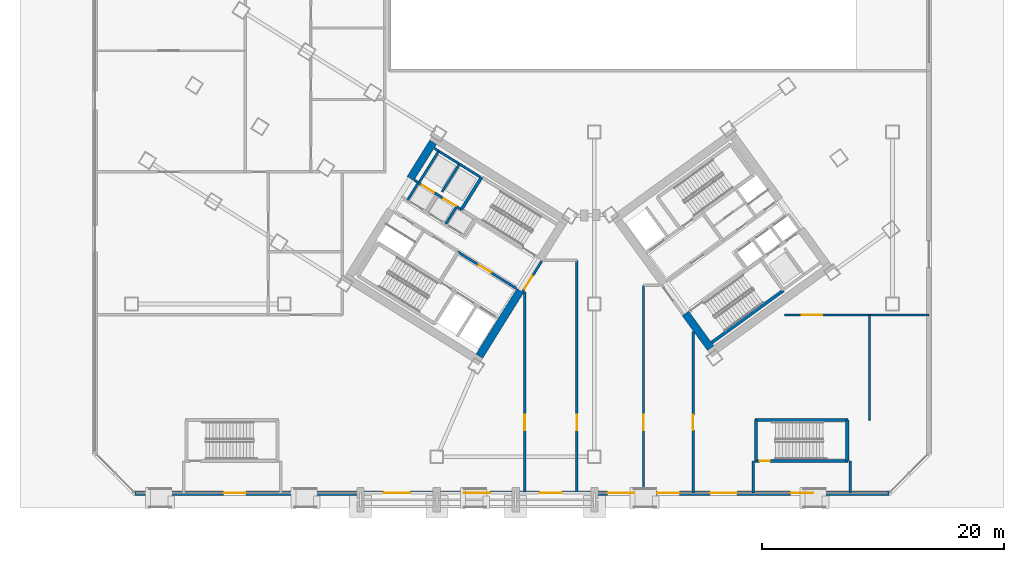
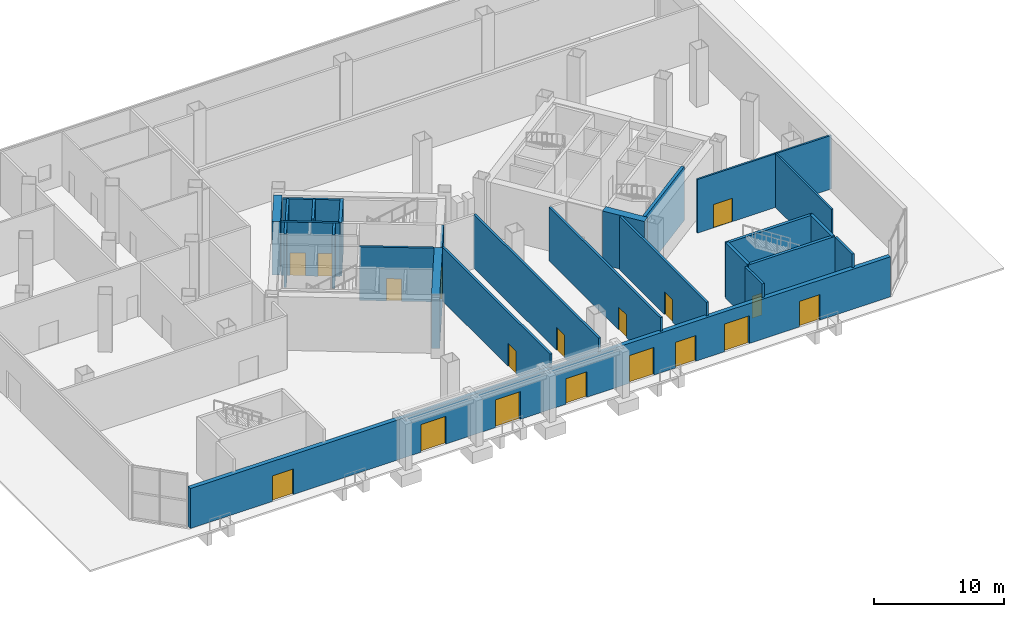
# One storey, part 11 of 22: 26 walls, 18 doors, 18 openings.
"""IFC4 building model written with IfcOpenShell, lengths in metres."""

from ifc_helpers import new_model, si_unit, direction, frame, frame_2d, origin, place, context, subcontext, project, spatial, rectangle, extrude, source, transform, mapped, material, layer, layer_set, type_object, element, fill, save


model = new_model("IFC4")

# Units and contexts
model_context = context("Model", 3, precision=1e-05, world=origin(), true_north=direction((0.0, 1.0)))
body_context = subcontext(model_context, "Body", "Model", "MODEL_VIEW")
ifc_project = project(units=[si_unit("LENGTHUNIT", "METRE"), si_unit("AREAUNIT", "SQUARE_METRE"), si_unit("VOLUMEUNIT", "CUBIC_METRE"), si_unit("PLANEANGLEUNIT", "RADIAN"), si_unit("MASSUNIT", "GRAM", prefix="KILO")], contexts=[model_context])

# Site, building, storey
site_placement = place(None, origin())
site = spatial("IfcSite", under=ifc_project, at=site_placement, CompositionType="ELEMENT")
building_placement = place(site_placement, origin())
building = spatial("IfcBuilding", under=site, at=building_placement, Name="Tlacorven Tower", CompositionType="ELEMENT")
storey_placement = place(building_placement, origin())
storey = spatial("IfcBuildingStorey", under=building, at=storey_placement, Name="L00", CompositionType="ELEMENT", Elevation=0.0)

# Walls
ifc_material_1 = material(Name="Concrete C60/75", Category="concrete")
ifc_layer_1 = layer(ifc_material_1, 0.64990234375)
ifc_layer_set_1 = layer_set([ifc_layer_1], Name="Concrete C60/75")
wall_type_1 = type_object("IfcWallType", Name="WL-COR-650", PredefinedType="SHEAR", material=ifc_layer_set_1)
wall_1_placement = place(storey_placement, frame((36.683349609375, 18.30419921875, 0.0), z_axis=(0.0, 0.0, 1.0), x_axis=(-0.529899109053, -0.848060690178, 0.0)))
element("IfcWall", 1, at=wall_1_placement, inside=storey, type_object=wall_type_1, Name="L00 W core end wall E1.2", PredefinedType="SHEAR", context=body_context, shape_type="SweptSolid", body=[
    extrude(rectangle(XDim=6.375244140625, YDim=0.64990234375, at=frame_2d((3.1875, 0.0))), origin(), (0.0, 0.0, 1.0), 5.050048828125),
])
for number, where, z_axis, x_axis, name in (
    (2, (29.49072265625, 30.5517578125, 0.0), (0.0, 0.0, 1.0), (-0.529893103397, -0.8480644427, 0.0), "L00 W core end wall E2.1"),
    (3, (52.390380859375, 13.564208984375, 0.0), (0.0, 0.0, 1.0), (-0.58779688989, 0.809008539037, 0.0), "L00 E core end wall E1.1"),
):
    element("IfcWall", number, at=place(storey_placement, frame(where, z_axis=z_axis, x_axis=x_axis)), inside=storey, type_object=wall_type_1, Name=name, PredefinedType="SHEAR", context=body_context, shape_type="SweptSolid", body=[
        extrude(rectangle(XDim=3.525146484375, YDim=0.64990234375, at=frame_2d((1.7626953125, 0.0))), origin(), (0.0, 0.0, 1.0), 5.050048828125),
    ])

# Wall, opening, door
ifc_material_2 = material(Name="Gypsum plasterboard acoustic partition", Category="gypsum")
ifc_layer_2 = layer(ifc_material_2, 0.159912109375)
ifc_layer_set_2 = layer_set([ifc_layer_2], Name="Gypsum plasterboard acoustic partition")
wall_type_2 = type_object("IfcWallType", Name="WL-DEM-160", PredefinedType="PARTITIONING", material=ifc_layer_set_2)
wall_2_placement = place(storey_placement, frame((58.5, 16.300048828125, 0.0), z_axis=(0.0, 0.0, 1.0), x_axis=(1.0, 0.0, 0.0)))
wall_2 = element("IfcWall", 4, at=wall_2_placement, inside=storey, type_object=wall_type_2, Name="L00 partition 87", PredefinedType="PARTITIONING", context=body_context, shape_type="SweptSolid", body=[
    extrude(rectangle(XDim=11.89990234375, YDim=0.159912109375, at=frame_2d((5.949951171875, 0.0))), origin(), (0.0, 0.0, 1.0), 5.0400390625),
])
opening_1_placement = place(wall_2_placement, frame((1.39990234375, 0.0, 0.0)))
opening_1 = element("IfcOpeningElement", 5, at=opening_1_placement, cuts=wall_2, Name="Opening D17", PredefinedType="OPENING", context=body_context, shape_type="SweptSolid", body=[
    extrude(rectangle(XDim=1.699951171875, YDim=2.199951171875, at=frame_2d((0.85009765625, 1.10009765625))), frame((0.0, 0.08984375, 0.0), z_axis=(0.0, -1.0, 0.0), x_axis=(1.0, 0.0, 0.0)), (0.0, 0.0, 1.0), 0.179931640625),
])
ifc_material_3 = material(Name="Fire-rated steel door assembly", Category="steel")
door_type_1 = type_object("IfcDoorType", Name="DR-COM-HALL-1700", OperationType="DOUBLE_DOOR_SINGLE_SWING", PredefinedType="DOOR", material=ifc_material_3)
shared_shape_1 = source(origin(), body_context, "Body", "SweptSolid", [
    extrude(rectangle(XDim=1.699951171875, YDim=2.199951171875, at=frame_2d((0.85009765625, 1.10009765625))), frame((0.0, 0.02490234375, 0.0), z_axis=(0.0, -1.0, 0.0), x_axis=(1.0, 0.0, 0.0)), (0.0, 0.0, 1.0), 0.050048828125),
])
door_1_placement = place(opening_1_placement, origin())
door_1 = element("IfcDoor", 6, at=door_1_placement, inside=storey, type_object=door_type_1, Name="L00 door 043", OperationType="DOUBLE_DOOR_SINGLE_SWING", OverallHeight=2.199951171875, OverallWidth=1.699951171875, PredefinedType="DOOR", context=body_context, shape_type="MappedRepresentation", body=[
    mapped(shared_shape_1, transform((0.0, 0.0, 0.0), scale=1.0)),
])
fill(opening_1, door_1)

# Wall
wall_3_placement = place(storey_placement, frame((65.5, 7.6201171875, 0.0), z_axis=(0.0, 0.0, 1.0), x_axis=(0.0, 1.0, 0.0)))
element("IfcWall", 7, at=wall_3_placement, inside=storey, type_object=wall_type_2, Name="L00 partition 89", PredefinedType="PARTITIONING", context=body_context, shape_type="SweptSolid", body=[
    extrude(rectangle(XDim=8.679931640625, YDim=0.159912109375, at=frame_2d((4.33984375, 0.0))), origin(), (0.0, 0.0, 1.0), 5.0400390625),
])

# Wall, openings, doors
ifc_material_4 = material(Name="Precast concrete C45/55", Category="concrete")
ifc_layer_3 = layer(ifc_material_4, 0.3798828125)
ifc_layer_set_3 = layer_set([ifc_layer_3], Name="Precast concrete C45/55")
wall_type_3 = type_object("IfcWallType", Name="WL-EXT-380", PredefinedType="STANDARD", material=ifc_layer_set_3)
wall_4_placement = place(storey_placement, frame((67.1171875, 1.60009765625, 0.0), z_axis=(0.0, 0.0, 1.0), x_axis=(-1.0, 0.0, 0.0)))
wall_4 = element("IfcWall", 8, at=wall_4_placement, inside=storey, type_object=wall_type_3, Name="L00 Podium Masonry-Frame Facade Wall 8", PredefinedType="STANDARD", context=body_context, shape_type="SweptSolid", body=[
    extrude(rectangle(XDim=62.234375, YDim=0.3798828125, at=frame_2d((31.1171875, 0.0))), origin(), (0.0, 0.0, 1.0), 3.7548828125),
])
opening_2_placement = place(wall_4_placement, frame((53.0771484375, 0.0, 0.0)))
opening_2 = element("IfcOpeningElement", 9, at=opening_2_placement, cuts=wall_4, Name="Opening D01", PredefinedType="OPENING", context=body_context, shape_type="SweptSolid", body=[
    extrude(rectangle(XDim=1.840087890625, YDim=2.39990234375, at=frame_2d((0.919921875, 1.199951171875))), frame((0.0, 0.199951171875, 0.0), z_axis=(0.0, -1.0, 0.0), x_axis=(1.0, 0.0, 0.0)), (0.0, 0.0, 1.0), 0.39990234375),
])
opening_3_placement = place(wall_4_placement, frame((39.51708984375, 0.0, 0.0)))
opening_3 = element("IfcOpeningElement", 10, at=opening_3_placement, cuts=wall_4, Name="Opening D02", PredefinedType="OPENING", context=body_context, shape_type="SweptSolid", body=[
    extrude(rectangle(XDim=2.199951171875, YDim=2.60009765625, at=frame_2d((1.10009765625, 1.300048828125))), frame((0.0, 0.199951171875, 0.0), z_axis=(0.0, -1.0, 0.0), x_axis=(1.0, 0.0, 0.0)), (0.0, 0.0, 1.0), 0.39990234375),
])
opening_4_placement = place(wall_4_placement, frame((32.917236328125, 0.0, 0.0)))
opening_4 = element("IfcOpeningElement", 11, at=opening_4_placement, cuts=wall_4, Name="Opening D02", PredefinedType="OPENING", context=body_context, shape_type="SweptSolid", body=[
    extrude(rectangle(XDim=2.199951171875, YDim=2.60009765625, at=frame_2d((1.10009765625, 1.300048828125))), frame((0.0, 0.199951171875, 0.0), z_axis=(0.0, -1.0, 0.0), x_axis=(1.0, 0.0, 0.0)), (0.0, 0.0, 1.0), 0.39990234375),
])
opening_5_placement = place(wall_4_placement, frame((26.997314453125, 0.0, 0.0)))
opening_5 = element("IfcOpeningElement", 12, at=opening_5_placement, cuts=wall_4, Name="Opening D01", PredefinedType="OPENING", context=body_context, shape_type="SweptSolid", body=[
    extrude(rectangle(XDim=1.840087890625, YDim=2.39990234375, at=frame_2d((0.919921875, 1.199951171875))), frame((0.0, 0.199951171875, 0.0), z_axis=(0.0, -1.0, 0.0), x_axis=(1.0, 0.0, 0.0)), (0.0, 0.0, 1.0), 0.39990234375),
])
opening_6_placement = place(wall_4_placement, frame((21.01708984375, 0.0, 0.0)))
opening_6 = element("IfcOpeningElement", 13, at=opening_6_placement, cuts=wall_4, Name="Opening D02", PredefinedType="OPENING", context=body_context, shape_type="SweptSolid", body=[
    extrude(rectangle(XDim=2.199951171875, YDim=2.60009765625, at=frame_2d((1.10009765625, 1.300048828125))), frame((0.0, 0.199951171875, 0.0), z_axis=(0.0, -1.0, 0.0), x_axis=(1.0, 0.0, 0.0)), (0.0, 0.0, 1.0), 0.39990234375),
])
opening_7_placement = place(wall_4_placement, frame((17.297119140625, 0.0, 0.0)))
opening_7 = element("IfcOpeningElement", 14, at=opening_7_placement, cuts=wall_4, Name="Opening D01", PredefinedType="OPENING", context=body_context, shape_type="SweptSolid", body=[
    extrude(rectangle(XDim=1.840087890625, YDim=2.39990234375, at=frame_2d((0.919921875, 1.199951171875))), frame((0.0, 0.199951171875, 0.0), z_axis=(0.0, -1.0, 0.0), x_axis=(1.0, 0.0, 0.0)), (0.0, 0.0, 1.0), 0.39990234375),
])
opening_8_placement = place(wall_4_placement, frame((12.567138671875, 0.0, 0.0)))
opening_8 = element("IfcOpeningElement", 15, at=opening_8_placement, cuts=wall_4, Name="Opening D02", PredefinedType="OPENING", context=body_context, shape_type="SweptSolid", body=[
    extrude(rectangle(XDim=2.199951171875, YDim=2.60009765625, at=frame_2d((1.10009765625, 1.300048828125))), frame((0.0, 0.199951171875, 0.0), z_axis=(0.0, -1.0, 0.0), x_axis=(1.0, 0.0, 0.0)), (0.0, 0.0, 1.0), 0.39990234375),
])
opening_9_placement = place(wall_4_placement, frame((6.277099609375, 0.0, 0.0)))
opening_9 = element("IfcOpeningElement", 16, at=opening_9_placement, cuts=wall_4, Name="Opening D01", PredefinedType="OPENING", context=body_context, shape_type="SweptSolid", body=[
    extrude(rectangle(XDim=1.840087890625, YDim=2.39990234375, at=frame_2d((0.919921875, 1.199951171875))), frame((0.0, 0.199951171875, 0.0), z_axis=(0.0, -1.0, 0.0), x_axis=(1.0, 0.0, 0.0)), (0.0, 0.0, 1.0), 0.39990234375),
])
ifc_material_5 = material(Name="Powder-coated aluminium and timber door", Category="wood")
door_type_2 = type_object("IfcDoorType", Name="DR-EXT-ENTR-2200", OperationType="DOUBLE_DOOR_SINGLE_SWING", PredefinedType="DOOR", material=ifc_material_5)
shared_shape_2 = source(origin(), body_context, "Body", "SweptSolid", [
    extrude(rectangle(XDim=2.199951171875, YDim=2.60009765625, at=frame_2d((1.10009765625, 1.300048828125))), frame((0.0, 0.02490234375, 0.0), z_axis=(0.0, -1.0, 0.0), x_axis=(1.0, 0.0, 0.0)), (0.0, 0.0, 1.0), 0.050048828125),
])
door_2_placement = place(opening_3_placement, origin())
door_2 = element("IfcDoor", 17, at=door_2_placement, inside=storey, type_object=door_type_2, Name="L00 Station Main Entrance 1", OperationType="DOUBLE_DOOR_SINGLE_SWING", OverallHeight=2.60009765625, OverallWidth=2.199951171875, PredefinedType="DOOR", context=body_context, shape_type="MappedRepresentation", body=[
    mapped(shared_shape_2, transform((0.0, 0.0, 0.0), scale=1.0)),
])
fill(opening_3, door_2)
door_3_placement = place(opening_4_placement, origin())
door_3 = element("IfcDoor", 18, at=door_3_placement, inside=storey, type_object=door_type_2, Name="L00 Station Main Entrance 2", OperationType="DOUBLE_DOOR_SINGLE_SWING", OverallHeight=2.60009765625, OverallWidth=2.199951171875, PredefinedType="DOOR", context=body_context, shape_type="MappedRepresentation", body=[
    mapped(shared_shape_2, transform((0.0, 0.0, 0.0), scale=1.0)),
])
fill(opening_4, door_3)
door_4_placement = place(opening_6_placement, origin())
door_4 = element("IfcDoor", 19, at=door_4_placement, inside=storey, type_object=door_type_2, Name="L00 Ticket Hall Entrance 3", OperationType="DOUBLE_DOOR_SINGLE_SWING", OverallHeight=2.60009765625, OverallWidth=2.199951171875, PredefinedType="DOOR", context=body_context, shape_type="MappedRepresentation", body=[
    mapped(shared_shape_2, transform((0.0, 0.0, 0.0), scale=1.0)),
])
fill(opening_6, door_4)
door_5_placement = place(opening_8_placement, origin())
door_5 = element("IfcDoor", 20, at=door_5_placement, inside=storey, type_object=door_type_2, Name="L00 Paid Concourse Exit 4", OperationType="DOUBLE_DOOR_SINGLE_SWING", OverallHeight=2.60009765625, OverallWidth=2.199951171875, PredefinedType="DOOR", context=body_context, shape_type="MappedRepresentation", body=[
    mapped(shared_shape_2, transform((0.0, 0.0, 0.0), scale=1.0)),
])
fill(opening_8, door_5)
door_type_3 = type_object("IfcDoorType", Name="DR-EXT-EXIT-1840", OperationType="DOUBLE_DOOR_SINGLE_SWING", PredefinedType="DOOR", material=ifc_material_5)
shared_shape_3 = source(origin(), body_context, "Body", "SweptSolid", [
    extrude(rectangle(XDim=1.840087890625, YDim=2.39990234375, at=frame_2d((0.919921875, 1.199951171875))), frame((0.0, 0.02490234375, 0.0), z_axis=(0.0, -1.0, 0.0), x_axis=(1.0, 0.0, 0.0)), (0.0, 0.0, 1.0), 0.050048828125),
])
door_6_placement = place(opening_2_placement, origin())
door_6 = element("IfcDoor", 21, at=door_6_placement, inside=storey, type_object=door_type_3, Name="L00 Exit Discharge Door P1", OperationType="DOUBLE_DOOR_SINGLE_SWING", OverallHeight=2.39990234375, OverallWidth=1.840087890625, PredefinedType="DOOR", context=body_context, shape_type="MappedRepresentation", body=[
    mapped(shared_shape_3, transform((0.0, 0.0, 0.0), scale=1.0)),
])
fill(opening_2, door_6)
door_7_placement = place(opening_5_placement, origin())
door_7 = element("IfcDoor", 22, at=door_7_placement, inside=storey, type_object=door_type_3, Name="L00 Exit Discharge Door West Core", OperationType="DOUBLE_DOOR_SINGLE_SWING", OverallHeight=2.39990234375, OverallWidth=1.840087890625, PredefinedType="DOOR", context=body_context, shape_type="MappedRepresentation", body=[
    mapped(shared_shape_3, transform((0.0, 0.0, 0.0), scale=1.0)),
])
fill(opening_5, door_7)
door_8_placement = place(opening_7_placement, origin())
door_8 = element("IfcDoor", 23, at=door_8_placement, inside=storey, type_object=door_type_3, Name="L00 Exit Discharge Door East Core", OperationType="DOUBLE_DOOR_SINGLE_SWING", OverallHeight=2.39990234375, OverallWidth=1.840087890625, PredefinedType="DOOR", context=body_context, shape_type="MappedRepresentation", body=[
    mapped(shared_shape_3, transform((0.0, 0.0, 0.0), scale=1.0)),
])
fill(opening_7, door_8)
door_9_placement = place(opening_9_placement, origin())
door_9 = element("IfcDoor", 24, at=door_9_placement, inside=storey, type_object=door_type_3, Name="L00 Exit Discharge Door P2", OperationType="DOUBLE_DOOR_SINGLE_SWING", OverallHeight=2.39990234375, OverallWidth=1.840087890625, PredefinedType="DOOR", context=body_context, shape_type="MappedRepresentation", body=[
    mapped(shared_shape_3, transform((0.0, 0.0, 0.0), scale=1.0)),
])
fill(opening_9, door_9)

# Wall, opening, door
ifc_material_6 = material(Name="Concrete C40/50", Category="concrete")
ifc_layer_4 = layer(ifc_material_6, 0.199951171875)
ifc_layer_set_4 = layer_set([ifc_layer_4], Name="Concrete C40/50")
wall_type_4 = type_object("IfcWallType", Name="WL-SHF-200", PredefinedType="STANDARD", material=ifc_layer_set_4)
wall_5_placement = place(storey_placement, frame((36.374267578125, 18.4736328125, 0.0), z_axis=(0.0, 0.0, 1.0), x_axis=(-0.848051071577, 0.529914502535, 0.0)))
wall_5 = element("IfcWall", 25, at=wall_5_placement, inside=storey, type_object=wall_type_4, Name="L00 Core W Smoke Lobby Wall", PredefinedType="STANDARD", context=body_context, shape_type="SweptSolid", body=[
    extrude(rectangle(XDim=5.718017578125, YDim=0.199951171875, at=frame_2d((2.85888671875, 0.0))), origin(), (0.0, 0.0, 1.0), 5.0400390625),
])
opening_10_placement = place(wall_5_placement, frame((2.498046875, 0.0, 0.0)))
opening_10 = element("IfcOpeningElement", 26, at=opening_10_placement, cuts=wall_5, Name="Opening D09", PredefinedType="OPENING", context=body_context, shape_type="SweptSolid", body=[
    extrude(rectangle(XDim=1.14990234375, YDim=2.10009765625, at=frame_2d((0.574951171875, 1.050048828125))), frame((0.0, 0.10986328125, 0.0), z_axis=(0.0, -1.0, 0.0), x_axis=(1.0, 0.0, 0.0)), (0.0, 0.0, 1.0), 0.219970703125),
])
door_type_4 = type_object("IfcDoorType", Name="DR-FFL-FD60-1150", OperationType="NOTDEFINED", PredefinedType="DOOR", material=ifc_material_3)
shared_shape_4 = source(origin(), body_context, "Body", "SweptSolid", [
    extrude(rectangle(XDim=1.14990234375, YDim=2.10009765625, at=frame_2d((0.574951171875, 1.050048828125))), frame((0.0, 0.02490234375, 0.0), z_axis=(0.0, -1.0, 0.0), x_axis=(1.0, 0.0, 0.0)), (0.0, 0.0, 1.0), 0.050048828125),
])
door_10_placement = place(opening_10_placement, origin())
door_10 = element("IfcDoor", 27, at=door_10_placement, inside=storey, type_object=door_type_4, Name="L00 Firefighting Lobby W Fire Door", OperationType="SINGLE_SWING_RIGHT", OverallHeight=2.10009765625, OverallWidth=1.14990234375, PredefinedType="DOOR", context=body_context, shape_type="MappedRepresentation", body=[
    mapped(shared_shape_4, transform((0.0, 0.0, 0.0), scale=1.0)),
])
fill(opening_10, door_10)

# Wall, openings, doors
wall_6_placement = place(storey_placement, frame((31.82177734375, 24.99755859375, 0.0), z_axis=(0.0, 0.0, 1.0), x_axis=(-0.848058348634, 0.529902856485, 0.0)))
wall_6 = element("IfcWall", 28, at=wall_6_placement, inside=storey, type_object=wall_type_4, Name="L00 Core W South Lift Shaft Wall", PredefinedType="STANDARD", context=body_context, shape_type="SweptSolid", body=[
    extrude(rectangle(XDim=4.568115234375, YDim=0.199951171875, at=frame_2d((2.2841796875, 0.0))), origin(), (0.0, 0.0, 1.0), 5.0400390625),
])
opening_11_placement = place(wall_6_placement, frame((0.52001953125, 0.0, 0.0)))
opening_11 = element("IfcOpeningElement", 29, at=opening_11_placement, cuts=wall_6, Name="Opening LD02", PredefinedType="OPENING", context=body_context, shape_type="SweptSolid", body=[
    extrude(rectangle(XDim=1.199951171875, YDim=2.14990234375, at=frame_2d((0.60009765625, 1.074951171875))), frame((0.0, 0.10986328125, 0.0), z_axis=(0.0, -1.0, 0.0), x_axis=(1.0, 0.0, 0.0)), (0.0, 0.0, 1.0), 0.219970703125),
])
opening_12_placement = place(wall_6_placement, frame((2.659912109375, 0.0, 0.0)))
opening_12 = element("IfcOpeningElement", 30, at=opening_12_placement, cuts=wall_6, Name="Opening LD02", PredefinedType="OPENING", context=body_context, shape_type="SweptSolid", body=[
    extrude(rectangle(XDim=1.199951171875, YDim=2.14990234375, at=frame_2d((0.60009765625, 1.074951171875))), frame((0.0, 0.10986328125, 0.0), z_axis=(0.0, -1.0, 0.0), x_axis=(1.0, 0.0, 0.0)), (0.0, 0.0, 1.0), 0.219970703125),
])
door_type_5 = type_object("IfcDoorType", Name="DR-LFT-SLID-1200", OperationType="DOUBLE_DOOR_SLIDING", PredefinedType="DOOR", material=ifc_material_3)
shared_shape_5 = source(origin(), body_context, "Body", "SweptSolid", [
    extrude(rectangle(XDim=1.199951171875, YDim=2.14990234375, at=frame_2d((0.60009765625, 1.074951171875))), frame((0.0, 0.02490234375, 0.0), z_axis=(0.0, -1.0, 0.0), x_axis=(1.0, 0.0, 0.0)), (0.0, 0.0, 1.0), 0.050048828125),
])
door_11_placement = place(opening_11_placement, origin())
door_11 = element("IfcDoor", 31, at=door_11_placement, inside=storey, type_object=door_type_5, Name="L00 Lift PL-H1 Sliding Landing Door", OperationType="DOUBLE_DOOR_SLIDING", OverallHeight=2.14990234375, OverallWidth=1.199951171875, PredefinedType="DOOR", context=body_context, shape_type="MappedRepresentation", body=[
    mapped(shared_shape_5, transform((0.0, 0.0, 0.0), scale=1.0)),
])
fill(opening_11, door_11)
door_12_placement = place(opening_12_placement, origin())
door_12 = element("IfcDoor", 32, at=door_12_placement, inside=storey, type_object=door_type_5, Name="L00 Lift PL-H2 Sliding Landing Door", OperationType="DOUBLE_DOOR_SLIDING", OverallHeight=2.14990234375, OverallWidth=1.199951171875, PredefinedType="DOOR", context=body_context, shape_type="MappedRepresentation", body=[
    mapped(shared_shape_5, transform((0.0, 0.0, 0.0), scale=1.0)),
])
fill(opening_12, door_12)

# Walls
wall_7_placement = place(storey_placement, frame((31.645263671875, 28.716064453125, 0.0), z_axis=(0.0, 0.0, 1.0), x_axis=(-0.52986693015, -0.848080795876, 0.0)))
element("IfcWall", 33, at=wall_7_placement, inside=storey, type_object=wall_type_4, Name="L00 partition 14", PredefinedType="STANDARD", context=body_context, shape_type="SweptSolid", body=[
    extrude(rectangle(XDim=2.659912109375, YDim=0.199951171875, at=frame_2d((1.330078125, 0.0))), origin(), (0.0, 0.0, 1.0), 5.0400390625),
])
wall_8_placement = place(storey_placement, frame((33.362548828125, 27.690185546875, 0.0), z_axis=(0.0, 0.0, 1.0), x_axis=(-0.848053806312, 0.529910125964, 0.0)))
element("IfcWall", 34, at=wall_8_placement, inside=storey, type_object=wall_type_4, Name="L00 partition 16", PredefinedType="STANDARD", context=body_context, shape_type="SweptSolid", body=[
    extrude(rectangle(XDim=4.44775390625, YDim=0.199951171875, at=frame_2d((2.223876953125, 0.0))), origin(), (0.0, 0.0, 1.0), 5.0400390625),
])
wall_9_placement = place(storey_placement, frame((29.94287109375, 29.803466796875, 0.0), z_axis=(0.0, 0.0, 1.0), x_axis=(-0.529874576144, -0.848076018737, 0.0)))
element("IfcWall", 35, at=wall_9_placement, inside=storey, type_object=wall_type_4, Name="L00 partition 17", PredefinedType="STANDARD", context=body_context, shape_type="SweptSolid", body=[
    extrude(rectangle(XDim=3.0, YDim=0.199951171875, at=frame_2d((1.5, 0.0))), origin(), (0.0, 0.0, 1.0), 5.0400390625),
])
wall_10_placement = place(storey_placement, frame((31.378662109375, 25.156494140625, 0.0), z_axis=(0.0, 0.0, 1.0), x_axis=(-0.529998940003, -0.847998304005, 0.0)))
element("IfcWall", 36, at=wall_10_placement, inside=storey, type_object=wall_type_4, Name="L00 partition 18", PredefinedType="STANDARD", context=body_context, shape_type="SweptSolid", body=[
    extrude(rectangle(XDim=1.580078125, YDim=0.199951171875, at=frame_2d((0.7900390625, 0.0))), origin(), (0.0, 0.0, 1.0), 5.0400390625),
])
wall_11_placement = place(storey_placement, frame((28.234375, 27.144775390625, 0.0), z_axis=(0.0, 0.0, 1.0), x_axis=(-0.529904106539, -0.848057567547, 0.0)))
element("IfcWall", 37, at=wall_11_placement, inside=storey, type_object=wall_type_4, Name="L00 partition 20", PredefinedType="STANDARD", context=body_context, shape_type="SweptSolid", body=[
    extrude(rectangle(XDim=1.619873046875, YDim=0.199951171875, at=frame_2d((0.81005859375, 0.0))), origin(), (0.0, 0.0, 1.0), 5.0400390625),
])

# Wall, opening, door
wall_12_placement = place(storey_placement, frame((37.050048828125, 1.60009765625, 0.0), z_axis=(0.0, 0.0, 1.0), x_axis=(0.0, 1.0, 0.0)))
wall_12 = element("IfcWall", 38, at=wall_12_placement, inside=storey, type_object=wall_type_4, Name="L00 Exit Passageway West Fire Wall W", PredefinedType="STANDARD", context=body_context, shape_type="SweptSolid", body=[
    extrude(rectangle(XDim=16.599853515625, YDim=0.199951171875, at=frame_2d((8.2998046875, 0.0))), origin(), (0.0, 0.0, 1.0), 5.0400390625),
])
opening_13_placement = place(wall_12_placement, frame((5.199951171875, 0.0, 0.0)))
opening_13 = element("IfcOpeningElement", 39, at=opening_13_placement, cuts=wall_12, Name="Opening D08", PredefinedType="OPENING", context=body_context, shape_type="SweptSolid", body=[
    extrude(rectangle(XDim=1.25, YDim=2.14990234375, at=frame_2d((0.625, 1.074951171875))), frame((0.0, 0.10986328125, 0.0), z_axis=(0.0, -1.0, 0.0), x_axis=(1.0, 0.0, 0.0)), (0.0, 0.0, 1.0), 0.219970703125),
])
door_type_6 = type_object("IfcDoorType", Name="DR-STR-FD90-1250", OperationType="NOTDEFINED", PredefinedType="DOOR", material=ifc_material_3)
shared_shape_6 = source(origin(), body_context, "Body", "SweptSolid", [
    extrude(rectangle(XDim=1.25, YDim=2.14990234375, at=frame_2d((0.625, 1.074951171875))), frame((0.0, 0.02490234375, 0.0), z_axis=(0.0, -1.0, 0.0), x_axis=(1.0, 0.0, 0.0)), (0.0, 0.0, 1.0), 0.050048828125),
])
door_13_placement = place(opening_13_placement, origin())
door_13 = element("IfcDoor", 40, at=door_13_placement, inside=storey, type_object=door_type_6, Name="L00 door 025", OperationType="SINGLE_SWING_RIGHT", OverallHeight=2.14990234375, OverallWidth=1.25, PredefinedType="DOOR", context=body_context, shape_type="MappedRepresentation", body=[
    mapped(shared_shape_6, transform((0.0, 0.0, 0.0), scale=1.0)),
])
fill(opening_13, door_13)

wall_13_placement = place(storey_placement, frame((41.35009765625, 1.60009765625, 0.0), z_axis=(0.0, 0.0, 1.0), x_axis=(0.0, 1.0, 0.0)))
wall_13 = element("IfcWall", 41, at=wall_13_placement, inside=storey, type_object=wall_type_4, Name="L00 Exit Passageway West Fire Wall E", PredefinedType="STANDARD", context=body_context, shape_type="SweptSolid", body=[
    extrude(rectangle(XDim=19.199951171875, YDim=0.199951171875, at=frame_2d((9.60009765625, 0.0))), origin(), (0.0, 0.0, 1.0), 5.0400390625),
])
opening_14_placement = place(wall_13_placement, frame((5.199951171875, 0.0, 0.0)))
opening_14 = element("IfcOpeningElement", 42, at=opening_14_placement, cuts=wall_13, Name="Opening D08", PredefinedType="OPENING", context=body_context, shape_type="SweptSolid", body=[
    extrude(rectangle(XDim=1.25, YDim=2.14990234375, at=frame_2d((0.625, 1.074951171875))), frame((0.0, 0.10986328125, 0.0), z_axis=(0.0, -1.0, 0.0), x_axis=(1.0, 0.0, 0.0)), (0.0, 0.0, 1.0), 0.219970703125),
])
door_14_placement = place(opening_14_placement, origin())
door_14 = element("IfcDoor", 43, at=door_14_placement, inside=storey, type_object=door_type_6, Name="L00 door 026", OperationType="SINGLE_SWING_LEFT", OverallHeight=2.14990234375, OverallWidth=1.25, PredefinedType="DOOR", context=body_context, shape_type="MappedRepresentation", body=[
    mapped(shared_shape_6, transform((0.0, 0.0, 0.0), scale=1.0)),
])
fill(opening_14, door_14)

wall_14_placement = place(storey_placement, frame((46.85009765625, 1.60009765625, 0.0), z_axis=(0.0, 0.0, 1.0), x_axis=(0.0, 1.0, 0.0)))
wall_14 = element("IfcWall", 44, at=wall_14_placement, inside=storey, type_object=wall_type_4, Name="L00 Exit Passageway East Fire Wall W", PredefinedType="STANDARD", context=body_context, shape_type="SweptSolid", body=[
    extrude(rectangle(XDim=17.14990234375, YDim=0.199951171875, at=frame_2d((8.574951171875, 0.0))), origin(), (0.0, 0.0, 1.0), 5.0400390625),
])
opening_15_placement = place(wall_14_placement, frame((5.199951171875, 0.0, 0.0)))
opening_15 = element("IfcOpeningElement", 45, at=opening_15_placement, cuts=wall_14, Name="Opening D08", PredefinedType="OPENING", context=body_context, shape_type="SweptSolid", body=[
    extrude(rectangle(XDim=1.25, YDim=2.14990234375, at=frame_2d((0.625, 1.074951171875))), frame((0.0, 0.10986328125, 0.0), z_axis=(0.0, -1.0, 0.0), x_axis=(1.0, 0.0, 0.0)), (0.0, 0.0, 1.0), 0.219970703125),
])
door_15_placement = place(opening_15_placement, origin())
door_15 = element("IfcDoor", 46, at=door_15_placement, inside=storey, type_object=door_type_6, Name="L00 door 027", OperationType="SINGLE_SWING_RIGHT", OverallHeight=2.14990234375, OverallWidth=1.25, PredefinedType="DOOR", context=body_context, shape_type="MappedRepresentation", body=[
    mapped(shared_shape_6, transform((0.0, 0.0, 0.0), scale=1.0)),
])
fill(opening_15, door_15)

wall_15_placement = place(storey_placement, frame((50.949951171875, 1.60009765625, 0.0), z_axis=(0.0, 0.0, 1.0), x_axis=(0.0, 1.0, 0.0)))
wall_15 = element("IfcWall", 47, at=wall_15_placement, inside=storey, type_object=wall_type_4, Name="L00 Exit Passageway East Fire Wall E", PredefinedType="STANDARD", context=body_context, shape_type="SweptSolid", body=[
    extrude(rectangle(XDim=13.347900390625, YDim=0.199951171875, at=frame_2d((6.673828125, 0.0))), origin(), (0.0, 0.0, 1.0), 5.0400390625),
])
opening_16_placement = place(wall_15_placement, frame((5.199951171875, 0.0, 0.0)))
opening_16 = element("IfcOpeningElement", 48, at=opening_16_placement, cuts=wall_15, Name="Opening D08", PredefinedType="OPENING", context=body_context, shape_type="SweptSolid", body=[
    extrude(rectangle(XDim=1.25, YDim=2.14990234375, at=frame_2d((0.625, 1.074951171875))), frame((0.0, 0.10986328125, 0.0), z_axis=(0.0, -1.0, 0.0), x_axis=(1.0, 0.0, 0.0)), (0.0, 0.0, 1.0), 0.219970703125),
])
door_16_placement = place(opening_16_placement, frame((1.25, 0.0, 0.0), z_axis=(0.0, 0.0, 1.0), x_axis=(-1.0, 0.0, 0.0)))
door_16 = element("IfcDoor", 49, at=door_16_placement, inside=storey, type_object=door_type_6, Name="L00 door 028", OperationType="SINGLE_SWING_LEFT", OverallHeight=2.14990234375, OverallWidth=1.25, PredefinedType="DOOR", context=body_context, shape_type="MappedRepresentation", body=[
    mapped(shared_shape_6, transform((0.0, 0.0, 0.0), scale=1.0)),
])
fill(opening_16, door_16)

wall_16_placement = place(storey_placement, frame((38.451416015625, 20.737060546875, 0.0), z_axis=(0.0, 0.0, 1.0), x_axis=(-0.529924799939, -0.848044637038, 0.0)))
wall_16 = element("IfcWall", 50, at=wall_16_placement, inside=storey, type_object=wall_type_4, Name="L00 partition 66", PredefinedType="STANDARD", context=body_context, shape_type="SweptSolid", body=[
    extrude(rectangle(XDim=2.9599609375, YDim=0.199951171875, at=frame_2d((1.47998046875, 0.0))), origin(), (0.0, 0.0, 1.0), 5.0400390625),
])
opening_17_placement = place(wall_16_placement, frame((1.449951171875, 0.0, 0.0)))
opening_17 = element("IfcOpeningElement", 51, at=opening_17_placement, cuts=wall_16, Name="Opening D08", PredefinedType="OPENING", context=body_context, shape_type="SweptSolid", body=[
    extrude(rectangle(XDim=1.25, YDim=2.14990234375, at=frame_2d((0.625, 1.074951171875))), frame((0.0, 0.10986328125, 0.0), z_axis=(0.0, -1.0, 0.0), x_axis=(1.0, 0.0, 0.0)), (0.0, 0.0, 1.0), 0.219970703125),
])
door_17_placement = place(opening_17_placement, origin())
door_17 = element("IfcDoor", 52, at=door_17_placement, inside=storey, type_object=door_type_6, Name="L00 Core W Protected Exit Passageway Fire Door", OperationType="SINGLE_SWING_RIGHT", OverallHeight=2.14990234375, OverallWidth=1.25, PredefinedType="DOOR", context=body_context, shape_type="MappedRepresentation", body=[
    mapped(shared_shape_6, transform((0.0, 0.0, 0.0), scale=1.0)),
])
fill(opening_17, door_17)

# Walls
for number, where, z_axis, x_axis, name in (
    (53, (55.89990234375, 1.60009765625, 0.0), (0.0, 0.0, 1.0), (0.0, 1.0, 0.0), "L00 partition 82"),
    (54, (63.89990234375, 1.60009765625, 0.0), (0.0, 0.0, 1.0), (0.0, 1.0, 0.0), "L00 partition 83"),
):
    element("IfcWall", number, at=place(storey_placement, frame(where, z_axis=z_axis, x_axis=x_axis)), inside=storey, type_object=wall_type_4, Name=name, PredefinedType="STANDARD", context=body_context, shape_type="SweptSolid", body=[
        extrude(rectangle(XDim=2.659912109375, YDim=0.199951171875, at=frame_2d((1.330078125, 0.0))), origin(), (0.0, 0.0, 1.0), 5.0400390625),
    ])
ifc_material_7 = material(Name="Concrete C50/60", Category="concrete")
ifc_layer_5 = layer(ifc_material_7, 0.260009765625)
ifc_layer_set_5 = layer_set([ifc_layer_5], Name="Concrete C50/60")
wall_type_5 = type_object("IfcWallType", Name="WL-STW-260", PredefinedType="SHEAR", material=ifc_layer_set_5)
wall_17_placement = place(storey_placement, frame((33.496337890625, 27.677490234375, 0.0), z_axis=(0.0, 0.0, 1.0), x_axis=(-0.529908658664, -0.84805472316, 0.0)))
element("IfcWall", 55, at=wall_17_placement, inside=storey, type_object=wall_type_5, Name="L00 Stair W2 East Shear Wall", PredefinedType="SHEAR", context=body_context, shape_type="SweptSolid", body=[
    extrude(rectangle(XDim=3.16015625, YDim=0.260009765625, at=frame_2d((1.580078125, 0.0))), origin(), (0.0, 0.0, 1.0), 5.050048828125),
])
wall_18_placement = place(storey_placement, frame((52.47216796875, 14.01318359375, 0.0), z_axis=(0.0, 0.0, 1.0), x_axis=(0.809028366311, 0.587769599847, 0.0)))
element("IfcWall", 56, at=wall_18_placement, inside=storey, type_object=wall_type_5, Name="L00 Stair E2 Far Shear Wall", PredefinedType="SHEAR", context=body_context, shape_type="SweptSolid", body=[
    extrude(rectangle(XDim=7.330078125, YDim=0.260009765625, at=frame_2d((3.6650390625, 0.0))), origin(), (0.0, 0.0, 1.0), 5.050048828125),
])
wall_19_placement = place(storey_placement, frame((56.070068359375, 7.6201171875, 0.0), z_axis=(0.0, 0.0, 1.0), x_axis=(1.0, 0.0, 0.0)))
element("IfcWall", 57, at=wall_19_placement, inside=storey, type_object=wall_type_5, Name="L00 Stair P2 North Wall", PredefinedType="SHEAR", context=body_context, shape_type="SweptSolid", body=[
    extrude(rectangle(XDim=7.659912109375, YDim=0.260009765625, at=frame_2d((3.830078125, 0.0))), origin(), (0.0, 0.0, 1.0), 5.199951171875),
])

# Wall, opening, door
wall_20_placement = place(storey_placement, frame((56.070068359375, 4.260009765625, 0.0), z_axis=(0.0, 0.0, 1.0), x_axis=(1.0, 0.0, 0.0)))
wall_20 = element("IfcWall", 58, at=wall_20_placement, inside=storey, type_object=wall_type_5, Name="L00 Stair P2 South Wall", PredefinedType="SHEAR", context=body_context, shape_type="SweptSolid", body=[
    extrude(rectangle(XDim=7.659912109375, YDim=0.260009765625, at=frame_2d((3.830078125, 0.0))), origin(), (0.0, 0.0, 1.0), 5.199951171875),
])
opening_18_placement = place(wall_20_placement, frame((0.360107421875, 0.0, 0.0)))
opening_18 = element("IfcOpeningElement", 59, at=opening_18_placement, cuts=wall_20, Name="Opening D19", PredefinedType="OPENING", context=body_context, shape_type="SweptSolid", body=[
    extrude(rectangle(XDim=0.860107421875, YDim=2.050048828125, at=frame_2d((0.43017578125, 1.02490234375))), frame((0.0, 0.14013671875, 0.0), z_axis=(0.0, -1.0, 0.0), x_axis=(1.0, 0.0, 0.0)), (0.0, 0.0, 1.0), 0.280029296875),
])
door_type_7 = type_object("IfcDoorType", Name="DR-RSR-FD60-0860", OperationType="NOTDEFINED", PredefinedType="DOOR", material=ifc_material_3)
shared_shape_7 = source(origin(), body_context, "Body", "SweptSolid", [
    extrude(rectangle(XDim=0.860107421875, YDim=2.050048828125, at=frame_2d((0.43017578125, 1.02490234375))), frame((0.0, 0.02490234375, 0.0), z_axis=(0.0, -1.0, 0.0), x_axis=(1.0, 0.0, 0.0)), (0.0, 0.0, 1.0), 0.050048828125),
])
door_18_placement = place(opening_18_placement, frame((0.860107421875, 0.0, 0.0), z_axis=(0.0, 0.0, 1.0), x_axis=(-1.0, 0.0, 0.0)))
door_18 = element("IfcDoor", 60, at=door_18_placement, inside=storey, type_object=door_type_7, Name="L00 door 042", OperationType="SINGLE_SWING_LEFT", OverallHeight=2.050048828125, OverallWidth=0.860107421875, PredefinedType="DOOR", context=body_context, shape_type="MappedRepresentation", body=[
    mapped(shared_shape_7, transform((0.0, 0.0, 0.0), scale=1.0)),
])
fill(opening_18, door_18)

# Walls
for number, where, z_axis, x_axis, name in (
    (61, (56.139892578125, 4.260009765625, 0.0), (0.0, 0.0, 1.0), (0.0, 1.0, 0.0), "L00 Stair P2 West Wall"),
    (62, (63.659912109375, 4.260009765625, 0.0), (0.0, 0.0, 1.0), (0.0, 1.0, 0.0), "L00 Stair P2 East Wall"),
):
    element("IfcWall", number, at=place(storey_placement, frame(where, z_axis=z_axis, x_axis=x_axis)), inside=storey, type_object=wall_type_5, Name=name, PredefinedType="SHEAR", context=body_context, shape_type="SweptSolid", body=[
        extrude(rectangle(XDim=3.360107421875, YDim=0.260009765625, at=frame_2d((1.68017578125, 0.0))), origin(), (0.0, 0.0, 1.0), 5.199951171875),
    ])

save(model, "model.ifc")
